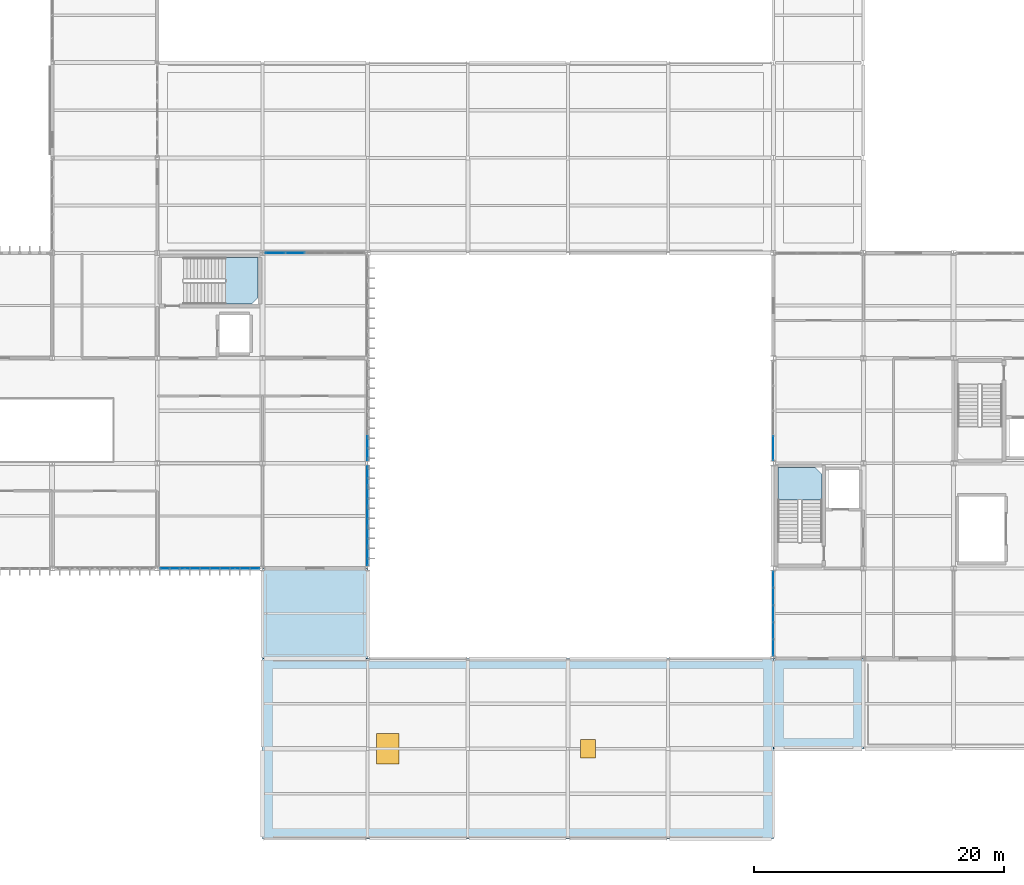
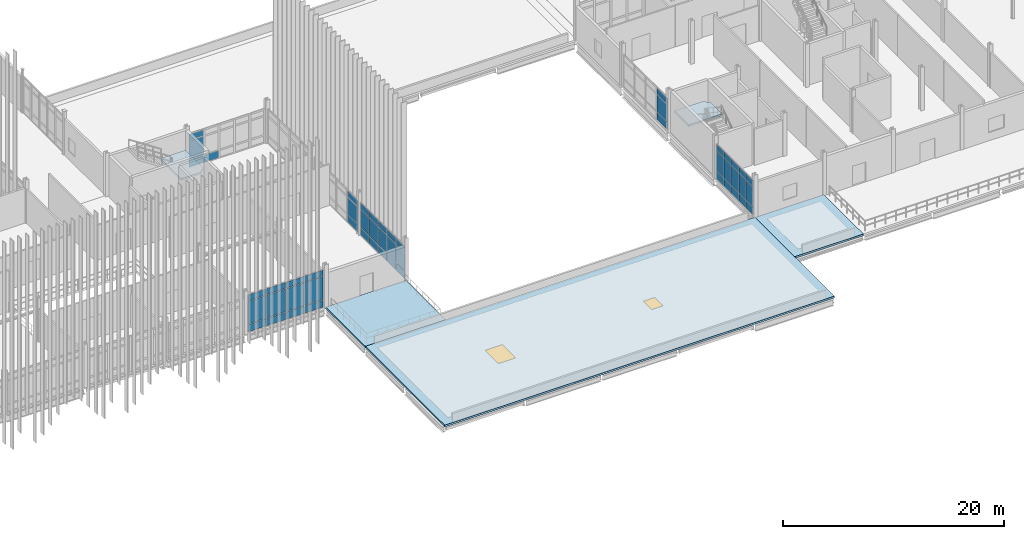
# One storey, part 99 of 153: 52 plates, 5 slabs, 2 windows, 2 openings, 8 elements without a shape of their own.
"""IFC4 building model written with IfcOpenShell, lengths in metres."""

from ifc_helpers import new_model, si_unit, direction, frame, origin, origin_2d, place, context, subcontext, project, spatial, polyline, rectangle, outline, extrude, material, layer, layer_set, type_object, element, fill, aggregate, save


model = new_model("IFC4")

# Units and contexts
model_context = context("Model", 3, precision=1e-05, world=origin(), true_north=direction((0.0, 1.0)))
body_context = subcontext(model_context, "Body", "Model", "MODEL_VIEW")
ifc_project = project(units=[si_unit("LENGTHUNIT", "METRE"), si_unit("AREAUNIT", "SQUARE_METRE"), si_unit("VOLUMEUNIT", "CUBIC_METRE"), si_unit("PLANEANGLEUNIT", "RADIAN"), si_unit("MASSUNIT", "GRAM", prefix="KILO")], contexts=[model_context])

# Site, building, storey
site_placement = place(None, origin())
site = spatial("IfcSite", under=ifc_project, at=site_placement, CompositionType="ELEMENT")
building_placement = place(site_placement, origin())
building = spatial("IfcBuilding", under=site, at=building_placement, Name="Calvrana Isthmian Art Gallery", CompositionType="ELEMENT")
storey_placement = place(building_placement, frame((0.0, 0.0, 10.199951171875)))
storey = spatial("IfcBuildingStorey", under=building, at=storey_placement, Name="L02", CompositionType="ELEMENT", Elevation=10.199951171875)

# Curtain wall, plates
ifc_material_1 = material(Name="Anodized bronze aluminium 6063-T6", Category="aluminium")
ifc_layer_1 = layer(ifc_material_1, 0.179931640625, Name="Anodized bronze aluminium 6063-T6")
ifc_layer_set_1 = layer_set([ifc_layer_1], Name="Anodized bronze aluminium 6063-T6")
curtain_wall_type_1 = type_object("IfcCurtainWallType", Name="CW-UNIT-080X42", PredefinedType="USERDEFINED", material=ifc_layer_set_1)
curtain_wall_1_placement = place(storey_placement, origin())
curtain_wall_1 = element("IfcCurtainWall", 1, at=curtain_wall_1_placement, inside=storey, type_object=curtain_wall_type_1, Name="Curtain wall CW-150", ObjectType="UNITISED CURTAIN WALL", PredefinedType="USERDEFINED")
ifc_material_2 = material(Name="Polychrome glazed terracotta", Category="masonry")
ifc_layer_2 = layer(ifc_material_2, 0.033935546875, Name="Polychrome glazed terracotta")
ifc_layer_set_2 = layer_set([ifc_layer_2], Name="Polychrome glazed terracotta")
plate_type_1 = type_object("IfcPlateType", Name="CWP-SPANDREL-34", PredefinedType="CURTAIN_PANEL", material=ifc_layer_set_2)
plate_1_placement = place(storey_placement, frame((70.787353515625, 21.60009765625, 0.06005859375), z_axis=(0.0, 0.0, 1.0), x_axis=(-1.0, 0.0, 0.0)))
plate_1 = element("IfcPlate", 2, at=plate_1_placement, type_object=plate_type_1, Name="CW-150 panel 1.1", PredefinedType="CURTAIN_PANEL", context=body_context, shape_type="SweptSolid", body=[
    extrude(rectangle(XDim=1.9111328125, YDim=0.033935546875, at=origin_2d()), origin(), (0.0, 0.0, 1.0), 0.81005859375),
])
plate_2_placement = place(storey_placement, frame((70.787353515625, 21.60009765625, 0.93017578125), z_axis=(0.0, 0.0, 1.0), x_axis=(-1.0, 0.0, 0.0)))
plate_2 = element("IfcPlate", 3, at=plate_2_placement, type_object=plate_type_1, Name="CW-150 panel 1.2", PredefinedType="CURTAIN_PANEL", context=body_context, shape_type="SweptSolid", body=[
    extrude(rectangle(XDim=1.9111328125, YDim=0.033935546875, at=origin_2d()), origin(), (0.0, 0.0, 1.0), 2.525146484375),
])
plate_3_placement = place(storey_placement, frame((70.787353515625, 21.60009765625, 3.51513671875), z_axis=(0.0, 0.0, 1.0), x_axis=(-1.0, 0.0, 0.0)))
plate_3 = element("IfcPlate", 4, at=plate_3_placement, type_object=plate_type_1, Name="CW-150 panel 1.3", PredefinedType="CURTAIN_PANEL", context=body_context, shape_type="SweptSolid", body=[
    extrude(rectangle(XDim=1.9111328125, YDim=0.033935546875, at=origin_2d()), origin(), (0.0, 0.0, 1.0), 0.659912109375),
])
plate_4_placement = place(storey_placement, frame((68.801025390625, 21.60009765625, 0.06005859375), z_axis=(0.0, 0.0, 1.0), x_axis=(-1.0, 0.0, 0.0)))
plate_4 = element("IfcPlate", 5, at=plate_4_placement, type_object=plate_type_1, Name="CW-150 panel 2.1", PredefinedType="CURTAIN_PANEL", context=body_context, shape_type="SweptSolid", body=[
    extrude(rectangle(XDim=1.941162109375, YDim=0.033935546875, at=origin_2d()), origin(), (0.0, 0.0, 1.0), 0.81005859375),
])
plate_5_placement = place(storey_placement, frame((68.801025390625, 21.60009765625, 0.93017578125), z_axis=(0.0, 0.0, 1.0), x_axis=(-1.0, 0.0, 0.0)))
plate_5 = element("IfcPlate", 6, at=plate_5_placement, type_object=plate_type_1, Name="CW-150 panel 2.2", PredefinedType="CURTAIN_PANEL", context=body_context, shape_type="SweptSolid", body=[
    extrude(rectangle(XDim=1.941162109375, YDim=0.033935546875, at=origin_2d()), origin(), (0.0, 0.0, 1.0), 2.525146484375),
])
plate_6_placement = place(storey_placement, frame((68.801025390625, 21.60009765625, 3.51513671875), z_axis=(0.0, 0.0, 1.0), x_axis=(-1.0, 0.0, 0.0)))
plate_6 = element("IfcPlate", 7, at=plate_6_placement, type_object=plate_type_1, Name="CW-150 panel 2.3", PredefinedType="CURTAIN_PANEL", context=body_context, shape_type="SweptSolid", body=[
    extrude(rectangle(XDim=1.941162109375, YDim=0.033935546875, at=origin_2d()), origin(), (0.0, 0.0, 1.0), 0.659912109375),
])
plate_7_placement = place(storey_placement, frame((66.7998046875, 21.60009765625, 0.06005859375), z_axis=(0.0, 0.0, 1.0), x_axis=(-1.0, 0.0, 0.0)))
plate_7 = element("IfcPlate", 8, at=plate_7_placement, type_object=plate_type_1, Name="CW-150 panel 3.1", PredefinedType="CURTAIN_PANEL", context=body_context, shape_type="SweptSolid", body=[
    extrude(rectangle(XDim=1.941162109375, YDim=0.033935546875, at=origin_2d()), origin(), (0.0, 0.0, 1.0), 0.81005859375),
])
plate_8_placement = place(storey_placement, frame((66.7998046875, 21.60009765625, 0.93017578125), z_axis=(0.0, 0.0, 1.0), x_axis=(-1.0, 0.0, 0.0)))
plate_8 = element("IfcPlate", 9, at=plate_8_placement, type_object=plate_type_1, Name="CW-150 panel 3.2", PredefinedType="CURTAIN_PANEL", context=body_context, shape_type="SweptSolid", body=[
    extrude(rectangle(XDim=1.941162109375, YDim=0.033935546875, at=origin_2d()), origin(), (0.0, 0.0, 1.0), 2.525146484375),
])
plate_9_placement = place(storey_placement, frame((66.7998046875, 21.60009765625, 3.51513671875), z_axis=(0.0, 0.0, 1.0), x_axis=(-1.0, 0.0, 0.0)))
plate_9 = element("IfcPlate", 10, at=plate_9_placement, type_object=plate_type_1, Name="CW-150 panel 3.3", PredefinedType="CURTAIN_PANEL", context=body_context, shape_type="SweptSolid", body=[
    extrude(rectangle(XDim=1.941162109375, YDim=0.033935546875, at=origin_2d()), origin(), (0.0, 0.0, 1.0), 0.659912109375),
])
plate_10_placement = place(storey_placement, frame((64.813720703125, 21.60009765625, 0.06005859375), z_axis=(0.0, 0.0, 1.0), x_axis=(-1.0, 0.0, 0.0)))
plate_10 = element("IfcPlate", 11, at=plate_10_placement, type_object=plate_type_1, Name="CW-150 panel 4.1", PredefinedType="CURTAIN_PANEL", context=body_context, shape_type="SweptSolid", body=[
    extrude(rectangle(XDim=1.9111328125, YDim=0.033935546875, at=origin_2d()), origin(), (0.0, 0.0, 1.0), 0.81005859375),
])
plate_11_placement = place(storey_placement, frame((64.813720703125, 21.60009765625, 0.93017578125), z_axis=(0.0, 0.0, 1.0), x_axis=(-1.0, 0.0, 0.0)))
plate_11 = element("IfcPlate", 12, at=plate_11_placement, type_object=plate_type_1, Name="CW-150 panel 4.2", PredefinedType="CURTAIN_PANEL", context=body_context, shape_type="SweptSolid", body=[
    extrude(rectangle(XDim=1.9111328125, YDim=0.033935546875, at=origin_2d()), origin(), (0.0, 0.0, 1.0), 2.525146484375),
])
plate_12_placement = place(storey_placement, frame((64.813720703125, 21.60009765625, 3.51513671875), z_axis=(0.0, 0.0, 1.0), x_axis=(-1.0, 0.0, 0.0)))
plate_12 = element("IfcPlate", 13, at=plate_12_placement, type_object=plate_type_1, Name="CW-150 panel 4.3", PredefinedType="CURTAIN_PANEL", context=body_context, shape_type="SweptSolid", body=[
    extrude(rectangle(XDim=1.9111328125, YDim=0.033935546875, at=origin_2d()), origin(), (0.0, 0.0, 1.0), 0.659912109375),
])
aggregate(curtain_wall_1, [plate_1, plate_2, plate_3, plate_4, plate_5, plate_6, plate_7, plate_8, plate_9, plate_10, plate_11, plate_12])

ifc_layer_3 = layer(ifc_material_1, 0.179931640625, Name="Anodized bronze aluminium 6063-T6")
ifc_layer_set_3 = layer_set([ifc_layer_3], Name="Anodized bronze aluminium 6063-T6")
curtain_wall_type_2 = type_object("IfcCurtainWallType", Name="CW-UNIT-080X38", PredefinedType="USERDEFINED", material=ifc_layer_set_3)
curtain_wall_2_placement = place(storey_placement, origin())
curtain_wall_2 = element("IfcCurtainWall", 14, at=curtain_wall_2_placement, inside=storey, type_object=curtain_wall_type_2, Name="Curtain wall CW-153", ObjectType="UNITISED CURTAIN WALL", PredefinedType="USERDEFINED")
ifc_material_3 = material(Name="Low-E laminated solar glass", Category="glass")
ifc_layer_4 = layer(ifc_material_3, 0.028076171875, Name="Low-E laminated solar glass")
ifc_layer_set_4 = layer_set([ifc_layer_4], Name="Low-E laminated solar glass")
plate_type_2 = type_object("IfcPlateType", Name="CWP-VISION-28", PredefinedType="CURTAIN_PANEL", material=ifc_layer_set_4)
plate_13_placement = place(storey_placement, frame((73.00537109375, 46.800048828125, 0.070068359375), z_axis=(0.0, 0.0, 1.0), x_axis=(1.0, 0.0, 0.0)))
plate_13 = element("IfcPlate", 15, at=plate_13_placement, type_object=plate_type_2, Name="CW-153 panel 1.1", PredefinedType="CURTAIN_PANEL", context=body_context, shape_type="SweptSolid", body=[
    extrude(rectangle(XDim=1.497802734375, YDim=0.028076171875, at=origin_2d()), origin(), (0.0, 0.0, 1.0), 0.794921875),
])
plate_14_placement = place(storey_placement, frame((73.00537109375, 46.800048828125, 0.93505859375), z_axis=(0.0, 0.0, 1.0), x_axis=(1.0, 0.0, 0.0)))
plate_14 = element("IfcPlate", 16, at=plate_14_placement, type_object=plate_type_2, Name="CW-153 panel 1.2", PredefinedType="CURTAIN_PANEL", context=body_context, shape_type="SweptSolid", body=[
    extrude(rectangle(XDim=1.497802734375, YDim=0.028076171875, at=origin_2d()), origin(), (0.0, 0.0, 1.0), 2.05810546875),
])
plate_15_placement = place(storey_placement, frame((73.00537109375, 46.800048828125, 3.06298828125), z_axis=(0.0, 0.0, 1.0), x_axis=(1.0, 0.0, 0.0)))
plate_15 = element("IfcPlate", 17, at=plate_15_placement, type_object=plate_type_2, Name="CW-153 panel 1.3", PredefinedType="CURTAIN_PANEL", context=body_context, shape_type="SweptSolid", body=[
    extrude(rectangle(XDim=1.497802734375, YDim=0.028076171875, at=origin_2d()), origin(), (0.0, 0.0, 1.0), 0.64501953125),
])
plate_16_placement = place(storey_placement, frame((74.5908203125, 46.800048828125, 0.070068359375), z_axis=(0.0, 0.0, 1.0), x_axis=(1.0, 0.0, 0.0)))
plate_16 = element("IfcPlate", 18, at=plate_16_placement, type_object=plate_type_2, Name="CW-153 panel 2.1", PredefinedType="CURTAIN_PANEL", context=body_context, shape_type="SweptSolid", body=[
    extrude(rectangle(XDim=1.53271484375, YDim=0.028076171875, at=origin_2d()), origin(), (0.0, 0.0, 1.0), 0.794921875),
])
aggregate(curtain_wall_2, [plate_13, plate_14, plate_15, plate_16])

ifc_layer_5 = layer(ifc_material_1, 0.179931640625, Name="Anodized bronze aluminium 6063-T6")
ifc_layer_set_5 = layer_set([ifc_layer_5], Name="Anodized bronze aluminium 6063-T6")
curtain_wall_type_3 = type_object("IfcCurtainWallType", Name="CW-STICK-080X37", PredefinedType="NOTDEFINED", material=ifc_layer_set_5)
curtain_wall_3_placement = place(storey_placement, origin())
curtain_wall_3 = element("IfcCurtainWall", 19, at=curtain_wall_3_placement, inside=storey, type_object=curtain_wall_type_3, Name="Curtain wall CW-177", PredefinedType="NOTDEFINED")
plate_17_placement = place(storey_placement, frame((80.39990234375, 28.997802734375, 0.06494140625), z_axis=(0.0, 0.0, 1.0), x_axis=(0.0, -1.0, 0.0)))
plate_17 = element("IfcPlate", 20, at=plate_17_placement, type_object=plate_type_2, Name="CW-177 panel 1.1", PredefinedType="CURTAIN_PANEL", context=body_context, shape_type="SweptSolid", body=[
    extrude(rectangle(XDim=1.50146484375, YDim=0.028076171875, at=origin_2d()), origin(), (0.0, 0.0, 1.0), 0.802490234375),
])
plate_18_placement = place(storey_placement, frame((80.39990234375, 28.997802734375, 0.9326171875), z_axis=(0.0, 0.0, 1.0), x_axis=(0.0, -1.0, 0.0)))
plate_18 = element("IfcPlate", 21, at=plate_18_placement, type_object=plate_type_2, Name="CW-177 panel 1.2", PredefinedType="CURTAIN_PANEL", context=body_context, shape_type="SweptSolid", body=[
    extrude(rectangle(XDim=1.50146484375, YDim=0.028076171875, at=origin_2d()), origin(), (0.0, 0.0, 1.0), 1.968994140625),
])
plate_19_placement = place(storey_placement, frame((80.39990234375, 28.997802734375, 2.96630859375), z_axis=(0.0, 0.0, 1.0), x_axis=(0.0, -1.0, 0.0)))
plate_19 = element("IfcPlate", 22, at=plate_19_placement, type_object=plate_type_2, Name="CW-177 panel 1.3", PredefinedType="CURTAIN_PANEL", context=body_context, shape_type="SweptSolid", body=[
    extrude(rectangle(XDim=1.50146484375, YDim=0.028076171875, at=origin_2d()), origin(), (0.0, 0.0, 1.0), 0.652587890625),
])
plate_20_placement = place(storey_placement, frame((80.39990234375, 27.408935546875, 0.06494140625), z_axis=(0.0, 0.0, 1.0), x_axis=(0.0, -1.0, 0.0)))
plate_20 = element("IfcPlate", 23, at=plate_20_placement, type_object=plate_type_2, Name="CW-177 panel 2.1", PredefinedType="CURTAIN_PANEL", context=body_context, shape_type="SweptSolid", body=[
    extrude(rectangle(XDim=1.536376953125, YDim=0.028076171875, at=origin_2d()), origin(), (0.0, 0.0, 1.0), 0.802490234375),
])
plate_21_placement = place(storey_placement, frame((80.39990234375, 27.408935546875, 0.9326171875), z_axis=(0.0, 0.0, 1.0), x_axis=(0.0, -1.0, 0.0)))
plate_21 = element("IfcPlate", 24, at=plate_21_placement, type_object=plate_type_2, Name="CW-177 panel 2.2", PredefinedType="CURTAIN_PANEL", context=body_context, shape_type="SweptSolid", body=[
    extrude(rectangle(XDim=1.536376953125, YDim=0.028076171875, at=origin_2d()), origin(), (0.0, 0.0, 1.0), 1.968994140625),
])
plate_22_placement = place(storey_placement, frame((80.39990234375, 27.408935546875, 2.96630859375), z_axis=(0.0, 0.0, 1.0), x_axis=(0.0, -1.0, 0.0)))
plate_22 = element("IfcPlate", 25, at=plate_22_placement, type_object=plate_type_2, Name="CW-177 panel 2.3", PredefinedType="CURTAIN_PANEL", context=body_context, shape_type="SweptSolid", body=[
    extrude(rectangle(XDim=1.536376953125, YDim=0.028076171875, at=origin_2d()), origin(), (0.0, 0.0, 1.0), 0.652587890625),
])
plate_23_placement = place(storey_placement, frame((80.39990234375, 25.802490234375, 0.06494140625), z_axis=(0.0, 0.0, 1.0), x_axis=(0.0, -1.0, 0.0)))
plate_23 = element("IfcPlate", 26, at=plate_23_placement, type_object=plate_type_2, Name="CW-177 panel 3.1", PredefinedType="CURTAIN_PANEL", context=body_context, shape_type="SweptSolid", body=[
    extrude(rectangle(XDim=1.536376953125, YDim=0.028076171875, at=origin_2d()), origin(), (0.0, 0.0, 1.0), 0.802490234375),
])
plate_24_placement = place(storey_placement, frame((80.39990234375, 25.802490234375, 0.9326171875), z_axis=(0.0, 0.0, 1.0), x_axis=(0.0, -1.0, 0.0)))
plate_24 = element("IfcPlate", 27, at=plate_24_placement, type_object=plate_type_2, Name="CW-177 panel 3.2", PredefinedType="CURTAIN_PANEL", context=body_context, shape_type="SweptSolid", body=[
    extrude(rectangle(XDim=1.536376953125, YDim=0.028076171875, at=origin_2d()), origin(), (0.0, 0.0, 1.0), 1.968994140625),
])
plate_25_placement = place(storey_placement, frame((80.39990234375, 25.802490234375, 2.96630859375), z_axis=(0.0, 0.0, 1.0), x_axis=(0.0, -1.0, 0.0)))
plate_25 = element("IfcPlate", 28, at=plate_25_placement, type_object=plate_type_2, Name="CW-177 panel 3.3", PredefinedType="CURTAIN_PANEL", context=body_context, shape_type="SweptSolid", body=[
    extrude(rectangle(XDim=1.536376953125, YDim=0.028076171875, at=origin_2d()), origin(), (0.0, 0.0, 1.0), 0.652587890625),
])
plate_26_placement = place(storey_placement, frame((80.39990234375, 24.196044921875, 0.06494140625), z_axis=(0.0, 0.0, 1.0), x_axis=(0.0, -1.0, 0.0)))
plate_26 = element("IfcPlate", 29, at=plate_26_placement, type_object=plate_type_2, Name="CW-177 panel 4.1", PredefinedType="CURTAIN_PANEL", context=body_context, shape_type="SweptSolid", body=[
    extrude(rectangle(XDim=1.536376953125, YDim=0.028076171875, at=origin_2d()), origin(), (0.0, 0.0, 1.0), 0.802490234375),
])
plate_27_placement = place(storey_placement, frame((80.39990234375, 24.196044921875, 0.9326171875), z_axis=(0.0, 0.0, 1.0), x_axis=(0.0, -1.0, 0.0)))
plate_27 = element("IfcPlate", 30, at=plate_27_placement, type_object=plate_type_2, Name="CW-177 panel 4.2", PredefinedType="CURTAIN_PANEL", context=body_context, shape_type="SweptSolid", body=[
    extrude(rectangle(XDim=1.536376953125, YDim=0.028076171875, at=origin_2d()), origin(), (0.0, 0.0, 1.0), 1.968994140625),
])
plate_28_placement = place(storey_placement, frame((80.39990234375, 24.196044921875, 2.96630859375), z_axis=(0.0, 0.0, 1.0), x_axis=(0.0, -1.0, 0.0)))
plate_28 = element("IfcPlate", 31, at=plate_28_placement, type_object=plate_type_2, Name="CW-177 panel 4.3", PredefinedType="CURTAIN_PANEL", context=body_context, shape_type="SweptSolid", body=[
    extrude(rectangle(XDim=1.536376953125, YDim=0.028076171875, at=origin_2d()), origin(), (0.0, 0.0, 1.0), 0.652587890625),
])
plate_29_placement = place(storey_placement, frame((80.39990234375, 22.607177734375, 0.06494140625), z_axis=(0.0, 0.0, 1.0), x_axis=(0.0, -1.0, 0.0)))
plate_29 = element("IfcPlate", 32, at=plate_29_placement, type_object=plate_type_2, Name="CW-177 panel 5.1", PredefinedType="CURTAIN_PANEL", context=body_context, shape_type="SweptSolid", body=[
    extrude(rectangle(XDim=1.50146484375, YDim=0.028076171875, at=origin_2d()), origin(), (0.0, 0.0, 1.0), 0.802490234375),
])
plate_30_placement = place(storey_placement, frame((80.39990234375, 22.607177734375, 0.9326171875), z_axis=(0.0, 0.0, 1.0), x_axis=(0.0, -1.0, 0.0)))
plate_30 = element("IfcPlate", 33, at=plate_30_placement, type_object=plate_type_2, Name="CW-177 panel 5.2", PredefinedType="CURTAIN_PANEL", context=body_context, shape_type="SweptSolid", body=[
    extrude(rectangle(XDim=1.50146484375, YDim=0.028076171875, at=origin_2d()), origin(), (0.0, 0.0, 1.0), 1.968994140625),
])
plate_31_placement = place(storey_placement, frame((80.39990234375, 22.607177734375, 2.96630859375), z_axis=(0.0, 0.0, 1.0), x_axis=(0.0, -1.0, 0.0)))
plate_31 = element("IfcPlate", 34, at=plate_31_placement, type_object=plate_type_2, Name="CW-177 panel 5.3", PredefinedType="CURTAIN_PANEL", context=body_context, shape_type="SweptSolid", body=[
    extrude(rectangle(XDim=1.50146484375, YDim=0.028076171875, at=origin_2d()), origin(), (0.0, 0.0, 1.0), 0.652587890625),
])
aggregate(curtain_wall_3, [plate_17, plate_18, plate_19, plate_20, plate_21, plate_22, plate_23, plate_24, plate_25, plate_26, plate_27, plate_28, plate_29, plate_30, plate_31])

ifc_layer_6 = layer(ifc_material_1, 0.179931640625, Name="Anodized bronze aluminium 6063-T6")
ifc_layer_set_6 = layer_set([ifc_layer_6], Name="Anodized bronze aluminium 6063-T6")
curtain_wall_type_4 = type_object("IfcCurtainWallType", Name="CW-UNIT-080X36", PredefinedType="USERDEFINED", material=ifc_layer_set_6)
curtain_wall_4_placement = place(storey_placement, origin())
curtain_wall_4 = element("IfcCurtainWall", 35, at=curtain_wall_4_placement, inside=storey, type_object=curtain_wall_type_4, Name="Curtain wall CW-178", ObjectType="UNITISED CURTAIN WALL", PredefinedType="USERDEFINED")
plate_32_placement = place(storey_placement, frame((80.39990234375, 31.20458984375, 0.070068359375), z_axis=(0.0, 0.0, 1.0), x_axis=(0.0, -1.0, 0.0)))
plate_32 = element("IfcPlate", 36, at=plate_32_placement, type_object=plate_type_2, Name="CW-178 panel 4.1", PredefinedType="CURTAIN_PANEL", context=body_context, shape_type="SweptSolid", body=[
    extrude(rectangle(XDim=1.896240234375, YDim=0.028076171875, at=origin_2d()), origin(), (0.0, 0.0, 1.0), 0.794921875),
])
plate_33_placement = place(storey_placement, frame((80.39990234375, 31.20458984375, 0.93505859375), z_axis=(0.0, 0.0, 1.0), x_axis=(0.0, -1.0, 0.0)))
plate_33 = element("IfcPlate", 37, at=plate_33_placement, type_object=plate_type_2, Name="CW-178 panel 4.2", PredefinedType="CURTAIN_PANEL", context=body_context, shape_type="SweptSolid", body=[
    extrude(rectangle(XDim=1.896240234375, YDim=0.028076171875, at=origin_2d()), origin(), (0.0, 0.0, 1.0), 1.89306640625),
])
plate_34_placement = place(storey_placement, frame((80.39990234375, 31.20458984375, 2.89794921875), z_axis=(0.0, 0.0, 1.0), x_axis=(0.0, -1.0, 0.0)))
plate_34 = element("IfcPlate", 38, at=plate_34_placement, type_object=plate_type_2, Name="CW-178 panel 4.3", PredefinedType="CURTAIN_PANEL", context=body_context, shape_type="SweptSolid", body=[
    extrude(rectangle(XDim=1.896240234375, YDim=0.028076171875, at=origin_2d()), origin(), (0.0, 0.0, 1.0), 0.64501953125),
])
aggregate(curtain_wall_4, [plate_32, plate_33, plate_34])

ifc_layer_7 = layer(ifc_material_1, 0.179931640625, Name="Anodized bronze aluminium 6063-T6")
ifc_layer_set_7 = layer_set([ifc_layer_7], Name="Anodized bronze aluminium 6063-T6")
curtain_wall_type_5 = type_object("IfcCurtainWallType", Name="CW-STICK-068X39", PredefinedType="NOTDEFINED", material=ifc_layer_set_7)
curtain_wall_5_placement = place(storey_placement, origin())
curtain_wall_5 = element("IfcCurtainWall", 39, at=curtain_wall_5_placement, inside=storey, type_object=curtain_wall_type_5, Name="Curtain wall CW-181", PredefinedType="NOTDEFINED")
plate_35_placement = place(storey_placement, frame((112.800048828125, 15.2841796875, 0.06005859375), z_axis=(0.0, 0.0, 1.0), x_axis=(0.0, 1.0, 0.0)))
plate_35 = element("IfcPlate", 40, at=plate_35_placement, type_object=plate_type_2, Name="CW-181 panel 1.1", PredefinedType="CURTAIN_PANEL", context=body_context, shape_type="SweptSolid", body=[
    extrude(rectangle(XDim=1.275390625, YDim=0.028076171875, at=origin_2d()), origin(), (0.0, 0.0, 1.0), 0.81005859375),
])
plate_36_placement = place(storey_placement, frame((112.800048828125, 15.2841796875, 0.93017578125), z_axis=(0.0, 0.0, 1.0), x_axis=(0.0, 1.0, 0.0)))
plate_36 = element("IfcPlate", 41, at=plate_36_placement, type_object=plate_type_2, Name="CW-181 panel 1.2", PredefinedType="CURTAIN_PANEL", context=body_context, shape_type="SweptSolid", body=[
    extrude(rectangle(XDim=1.275390625, YDim=0.028076171875, at=origin_2d()), origin(), (0.0, 0.0, 1.0), 2.218017578125),
])
plate_37_placement = place(storey_placement, frame((112.800048828125, 15.2841796875, 3.2080078125), z_axis=(0.0, 0.0, 1.0), x_axis=(0.0, 1.0, 0.0)))
plate_37 = element("IfcPlate", 42, at=plate_37_placement, type_object=plate_type_2, Name="CW-181 panel 1.3", PredefinedType="CURTAIN_PANEL", context=body_context, shape_type="SweptSolid", body=[
    extrude(rectangle(XDim=1.275390625, YDim=0.028076171875, at=origin_2d()), origin(), (0.0, 0.0, 1.0), 0.659912109375),
])
plate_38_placement = place(storey_placement, frame((112.800048828125, 16.634521484375, 0.06005859375), z_axis=(0.0, 0.0, 1.0), x_axis=(0.0, 1.0, 0.0)))
plate_38 = element("IfcPlate", 43, at=plate_38_placement, type_object=plate_type_2, Name="CW-181 panel 2.1", PredefinedType="CURTAIN_PANEL", context=body_context, shape_type="SweptSolid", body=[
    extrude(rectangle(XDim=1.305419921875, YDim=0.028076171875, at=origin_2d()), origin(), (0.0, 0.0, 1.0), 0.81005859375),
])
plate_39_placement = place(storey_placement, frame((112.800048828125, 16.634521484375, 0.93017578125), z_axis=(0.0, 0.0, 1.0), x_axis=(0.0, 1.0, 0.0)))
plate_39 = element("IfcPlate", 44, at=plate_39_placement, type_object=plate_type_2, Name="CW-181 panel 2.2", PredefinedType="CURTAIN_PANEL", context=body_context, shape_type="SweptSolid", body=[
    extrude(rectangle(XDim=1.305419921875, YDim=0.028076171875, at=origin_2d()), origin(), (0.0, 0.0, 1.0), 2.218017578125),
])
plate_40_placement = place(storey_placement, frame((112.800048828125, 16.634521484375, 3.2080078125), z_axis=(0.0, 0.0, 1.0), x_axis=(0.0, 1.0, 0.0)))
plate_40 = element("IfcPlate", 45, at=plate_40_placement, type_object=plate_type_2, Name="CW-181 panel 2.3", PredefinedType="CURTAIN_PANEL", context=body_context, shape_type="SweptSolid", body=[
    extrude(rectangle(XDim=1.305419921875, YDim=0.028076171875, at=origin_2d()), origin(), (0.0, 0.0, 1.0), 0.659912109375),
])
plate_41_placement = place(storey_placement, frame((112.800048828125, 18.0, 0.06005859375), z_axis=(0.0, 0.0, 1.0), x_axis=(0.0, 1.0, 0.0)))
plate_41 = element("IfcPlate", 46, at=plate_41_placement, type_object=plate_type_2, Name="CW-181 panel 3.1", PredefinedType="CURTAIN_PANEL", context=body_context, shape_type="SweptSolid", body=[
    extrude(rectangle(XDim=1.305419921875, YDim=0.028076171875, at=origin_2d()), origin(), (0.0, 0.0, 1.0), 0.81005859375),
])
plate_42_placement = place(storey_placement, frame((112.800048828125, 18.0, 0.93017578125), z_axis=(0.0, 0.0, 1.0), x_axis=(0.0, 1.0, 0.0)))
plate_42 = element("IfcPlate", 47, at=plate_42_placement, type_object=plate_type_2, Name="CW-181 panel 3.2", PredefinedType="CURTAIN_PANEL", context=body_context, shape_type="SweptSolid", body=[
    extrude(rectangle(XDim=1.305419921875, YDim=0.028076171875, at=origin_2d()), origin(), (0.0, 0.0, 1.0), 2.218017578125),
])
plate_43_placement = place(storey_placement, frame((112.800048828125, 18.0, 3.2080078125), z_axis=(0.0, 0.0, 1.0), x_axis=(0.0, 1.0, 0.0)))
plate_43 = element("IfcPlate", 48, at=plate_43_placement, type_object=plate_type_2, Name="CW-181 panel 3.3", PredefinedType="CURTAIN_PANEL", context=body_context, shape_type="SweptSolid", body=[
    extrude(rectangle(XDim=1.305419921875, YDim=0.028076171875, at=origin_2d()), origin(), (0.0, 0.0, 1.0), 0.659912109375),
])
plate_44_placement = place(storey_placement, frame((112.800048828125, 19.365478515625, 0.06005859375), z_axis=(0.0, 0.0, 1.0), x_axis=(0.0, 1.0, 0.0)))
plate_44 = element("IfcPlate", 49, at=plate_44_placement, type_object=plate_type_2, Name="CW-181 panel 4.1", PredefinedType="CURTAIN_PANEL", context=body_context, shape_type="SweptSolid", body=[
    extrude(rectangle(XDim=1.305419921875, YDim=0.028076171875, at=origin_2d()), origin(), (0.0, 0.0, 1.0), 0.81005859375),
])
plate_45_placement = place(storey_placement, frame((112.800048828125, 19.365478515625, 0.93017578125), z_axis=(0.0, 0.0, 1.0), x_axis=(0.0, 1.0, 0.0)))
plate_45 = element("IfcPlate", 50, at=plate_45_placement, type_object=plate_type_2, Name="CW-181 panel 4.2", PredefinedType="CURTAIN_PANEL", context=body_context, shape_type="SweptSolid", body=[
    extrude(rectangle(XDim=1.305419921875, YDim=0.028076171875, at=origin_2d()), origin(), (0.0, 0.0, 1.0), 2.218017578125),
])
plate_46_placement = place(storey_placement, frame((112.800048828125, 19.365478515625, 3.2080078125), z_axis=(0.0, 0.0, 1.0), x_axis=(0.0, 1.0, 0.0)))
plate_46 = element("IfcPlate", 51, at=plate_46_placement, type_object=plate_type_2, Name="CW-181 panel 4.3", PredefinedType="CURTAIN_PANEL", context=body_context, shape_type="SweptSolid", body=[
    extrude(rectangle(XDim=1.305419921875, YDim=0.028076171875, at=origin_2d()), origin(), (0.0, 0.0, 1.0), 0.659912109375),
])
plate_47_placement = place(storey_placement, frame((112.800048828125, 20.7158203125, 0.06005859375), z_axis=(0.0, 0.0, 1.0), x_axis=(0.0, 1.0, 0.0)))
plate_47 = element("IfcPlate", 52, at=plate_47_placement, type_object=plate_type_2, Name="CW-181 panel 5.1", PredefinedType="CURTAIN_PANEL", context=body_context, shape_type="SweptSolid", body=[
    extrude(rectangle(XDim=1.275390625, YDim=0.028076171875, at=origin_2d()), origin(), (0.0, 0.0, 1.0), 0.81005859375),
])
plate_48_placement = place(storey_placement, frame((112.800048828125, 20.7158203125, 0.93017578125), z_axis=(0.0, 0.0, 1.0), x_axis=(0.0, 1.0, 0.0)))
plate_48 = element("IfcPlate", 53, at=plate_48_placement, type_object=plate_type_2, Name="CW-181 panel 5.2", PredefinedType="CURTAIN_PANEL", context=body_context, shape_type="SweptSolid", body=[
    extrude(rectangle(XDim=1.275390625, YDim=0.028076171875, at=origin_2d()), origin(), (0.0, 0.0, 1.0), 2.218017578125),
])
plate_49_placement = place(storey_placement, frame((112.800048828125, 20.7158203125, 3.2080078125), z_axis=(0.0, 0.0, 1.0), x_axis=(0.0, 1.0, 0.0)))
plate_49 = element("IfcPlate", 54, at=plate_49_placement, type_object=plate_type_2, Name="CW-181 panel 5.3", PredefinedType="CURTAIN_PANEL", context=body_context, shape_type="SweptSolid", body=[
    extrude(rectangle(XDim=1.275390625, YDim=0.028076171875, at=origin_2d()), origin(), (0.0, 0.0, 1.0), 0.659912109375),
])
aggregate(curtain_wall_5, [plate_35, plate_36, plate_37, plate_38, plate_39, plate_40, plate_41, plate_42, plate_43, plate_44, plate_45, plate_46, plate_47, plate_48, plate_49])

curtain_wall_6_placement = place(storey_placement, origin())
curtain_wall_6 = element("IfcCurtainWall", 55, at=curtain_wall_6_placement, inside=storey, type_object=curtain_wall_type_4, Name="Curtain wall CW-182", ObjectType="UNITISED CURTAIN WALL", PredefinedType="USERDEFINED")
plate_50_placement = place(storey_placement, frame((112.800048828125, 31.20703125, 0.06494140625), z_axis=(0.0, 0.0, 1.0), x_axis=(0.0, 1.0, 0.0)))
plate_50 = element("IfcPlate", 56, at=plate_50_placement, type_object=plate_type_2, Name="CW-182 panel 1.1", PredefinedType="CURTAIN_PANEL", context=body_context, shape_type="SweptSolid", body=[
    extrude(rectangle(XDim=1.907958984375, YDim=0.028076171875, at=origin_2d()), origin(), (0.0, 0.0, 1.0), 0.802490234375),
])
plate_51_placement = place(storey_placement, frame((112.800048828125, 31.20703125, 0.9326171875), z_axis=(0.0, 0.0, 1.0), x_axis=(0.0, 1.0, 0.0)))
plate_51 = element("IfcPlate", 57, at=plate_51_placement, type_object=plate_type_2, Name="CW-182 panel 1.2", PredefinedType="CURTAIN_PANEL", context=body_context, shape_type="SweptSolid", body=[
    extrude(rectangle(XDim=1.907958984375, YDim=0.028076171875, at=origin_2d()), origin(), (0.0, 0.0, 1.0), 1.89794921875),
])
plate_52_placement = place(storey_placement, frame((112.800048828125, 31.20703125, 2.8955078125), z_axis=(0.0, 0.0, 1.0), x_axis=(0.0, 1.0, 0.0)))
plate_52 = element("IfcPlate", 58, at=plate_52_placement, type_object=plate_type_2, Name="CW-182 panel 1.3", PredefinedType="CURTAIN_PANEL", context=body_context, shape_type="SweptSolid", body=[
    extrude(rectangle(XDim=1.907958984375, YDim=0.028076171875, at=origin_2d()), origin(), (0.0, 0.0, 1.0), 0.652587890625),
])
aggregate(curtain_wall_6, [plate_50, plate_51, plate_52])

# Stair, slab
ifc_material_4 = material(Name="Concrete C40/50", Category="concrete")
stair_type_1 = type_object("IfcStairType", Name="STR-HT-480W", PredefinedType="HALF_TURN_STAIR", material=ifc_material_4)
stair_1_placement = place(storey_placement, origin())
stair_1 = element("IfcStair", 59, at=stair_1_placement, inside=storey, type_object=stair_type_1, Name="Protected exit stair ST-2 (L02)", PredefinedType="HALF_TURN_STAIR")
ifc_layer_8 = layer(ifc_material_4, 0.199951171875, Name="Concrete C40/50")
ifc_layer_set_8 = layer_set([ifc_layer_8], Name="Concrete C40/50")
slab_type_1 = type_object("IfcSlabType", Name="SLB-LAND-200", PredefinedType="LANDING", material=ifc_layer_set_8)
slab_1_placement = place(storey_placement, frame((0.0, 0.0, 2.199951171875)))
slab_1 = element("IfcSlab", 60, at=slab_1_placement, type_object=slab_type_1, Name="ST-2 landing 1", PredefinedType="LANDING", context=body_context, shape_type="SweptSolid", body=[
    extrude(outline(polyline([(69.06005859375, 42.7099609375), (71.139892578125, 42.7099609375), (71.659912109375, 43.22998046875), (71.659912109375, 46.429931640625), (69.06005859375, 46.429931640625), (69.06005859375, 42.7099609375)])), origin(), (0.0, 0.0, 1.0), 0.2001953125),
])
aggregate(stair_1, [slab_1])

stair_type_2 = type_object("IfcStairType", Name="STR-HT-480", PredefinedType="HALF_TURN_STAIR", material=ifc_material_4)
stair_2_placement = place(storey_placement, origin())
stair_2 = element("IfcStair", 61, at=stair_2_placement, inside=storey, type_object=stair_type_2, Name="Protected exit stair ST-3 (L02)", PredefinedType="HALF_TURN_STAIR")
slab_2_placement = place(storey_placement, frame((0.0, 0.0, 2.199951171875)))
slab_2 = element("IfcSlab", 62, at=slab_2_placement, type_object=slab_type_1, Name="ST-3 landing 1", PredefinedType="LANDING", context=body_context, shape_type="SweptSolid", body=[
    extrude(outline(polyline([(116.68994140625, 27.06005859375), (116.68994140625, 29.139892578125), (116.169921875, 29.659912109375), (113.169921875, 29.659912109375), (113.169921875, 27.06005859375), (116.68994140625, 27.06005859375)])), origin(), (0.0, 0.0, 1.0), 0.2001953125),
])
aggregate(stair_2, [slab_2])

# Slab, openings, windows
ifc_layer_9 = layer(ifc_material_4, 0.199951171875, Name="Concrete C40/50")
ifc_layer_set_9 = layer_set([ifc_layer_9], Name="Concrete C40/50")
slab_type_2 = type_object("IfcSlabType", Name="SLB-ROOF-200", PredefinedType="ROOF", material=ifc_layer_set_9)
slab_3_placement = place(storey_placement, frame((0.0, 0.0, -0.199951171875)))
slab_3 = element("IfcSlab", 63, at=slab_3_placement, inside=storey, type_object=slab_type_2, Name="Flat roof slab ROOF_V2B_L02", PredefinedType="ROOF", context=body_context, shape_type="SweptSolid", body=[
    extrude(outline(polyline([(72.0, 0.0), (112.800048828125, 0.0), (112.800048828125, 14.39990234375), (72.0, 14.39990234375), (72.0, 0.0)])), origin(), (0.0, 0.0, 1.0), 0.199951171875),
])
opening_1_placement = place(slab_3_placement, frame((82.0, 7.199951171875, -0.01025390625)))
opening_1 = element("IfcOpeningElement", 64, at=opening_1_placement, cuts=slab_3, Name="Opening SK-11", PredefinedType="OPENING", context=body_context, shape_type="SweptSolid", body=[
    extrude(rectangle(XDim=1.800048828125, YDim=2.39990234375, at=origin_2d()), origin(), (0.0, 0.0, 1.0), 0.220458984375),
])
opening_2_placement = place(slab_3_placement, frame((98.0, 7.199951171875, -0.01025390625)))
opening_2 = element("IfcOpeningElement", 65, at=opening_2_placement, cuts=slab_3, Name="Opening SK-12", PredefinedType="OPENING", context=body_context, shape_type="SweptSolid", body=[
    extrude(rectangle(XDim=1.199951171875, YDim=1.5, at=origin_2d()), origin(), (0.0, 0.0, 1.0), 0.220458984375),
])
ifc_material_5 = material(Name="Diffusing skylight glass", Category="glass")
window_type_1 = type_object("IfcWindowType", Name="SKY-HATCH-120X150", PartitioningType="SINGLE_PANEL", PredefinedType="SKYLIGHT", material=ifc_material_5)
window_1_placement = place(slab_3_placement, frame((98.0, 7.199951171875, 0.139892578125)))
window_1 = element("IfcWindow", 66, at=window_1_placement, inside=storey, type_object=window_type_1, Name="Roof skylight / access hatch SK-12", OverallHeight=1.5, OverallWidth=1.199951171875, PartitioningType="SINGLE_PANEL", PredefinedType="SKYLIGHT", context=body_context, shape_type="SweptSolid", body=[
    extrude(rectangle(XDim=1.199951171875, YDim=1.5, at=origin_2d()), origin(), (0.0, 0.0, 1.0), 0.06005859375),
])
fill(opening_2, window_1)
window_type_2 = type_object("IfcWindowType", Name="SKY-MON-180X240", PartitioningType="SINGLE_PANEL", PredefinedType="SKYLIGHT", material=ifc_material_5)
window_2_placement = place(slab_3_placement, frame((82.0, 7.199951171875, 0.139892578125)))
window_2 = element("IfcWindow", 67, at=window_2_placement, inside=storey, type_object=window_type_2, Name="Roof skylight / access hatch SK-11", OverallHeight=2.39990234375, OverallWidth=1.800048828125, PartitioningType="SINGLE_PANEL", PredefinedType="SKYLIGHT", context=body_context, shape_type="SweptSolid", body=[
    extrude(rectangle(XDim=1.800048828125, YDim=2.39990234375, at=origin_2d()), origin(), (0.0, 0.0, 1.0), 0.06005859375),
])
fill(opening_1, window_2)

# Slabs
slab_4_placement = place(storey_placement, frame((0.0, 0.0, -0.199951171875)))
element("IfcSlab", 68, at=slab_4_placement, inside=storey, type_object=slab_type_2, Name="Flat roof slab ROOF_V4SW_L02", PredefinedType="ROOF", context=body_context, shape_type="SweptSolid", body=[
    extrude(outline(polyline([(112.800048828125, 7.199951171875), (120.0, 7.199951171875), (120.0, 14.39990234375), (112.800048828125, 14.39990234375), (112.800048828125, 7.199951171875)])), origin(), (0.0, 0.0, 1.0), 0.199951171875),
])
ifc_layer_10 = layer(ifc_material_4, 0.199951171875, Name="Concrete C40/50")
ifc_layer_set_10 = layer_set([ifc_layer_10], Name="Concrete C40/50")
slab_type_3 = type_object("IfcSlabType", Name="SLB-TER-200", PredefinedType="FLOOR", material=ifc_layer_set_10)
slab_5_placement = place(storey_placement, frame((0.0, 0.0, -0.199951171875)))
element("IfcSlab", 69, at=slab_5_placement, inside=storey, type_object=slab_type_3, Name="Outdoor sculpture terrace TER_V2_L02", PredefinedType="FLOOR", context=body_context, shape_type="SweptSolid", body=[
    extrude(outline(polyline([(72.0, 14.39990234375), (80.39990234375, 14.39990234375), (80.39990234375, 21.60009765625), (72.0, 21.60009765625), (72.0, 14.39990234375)])), origin(), (0.0, 0.0, 1.0), 0.199951171875),
])

save(model, "model.ifc")
